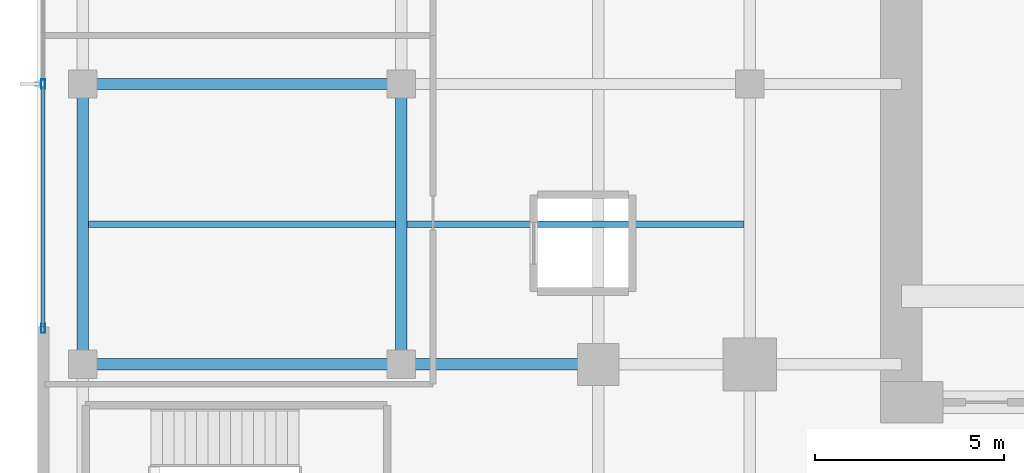
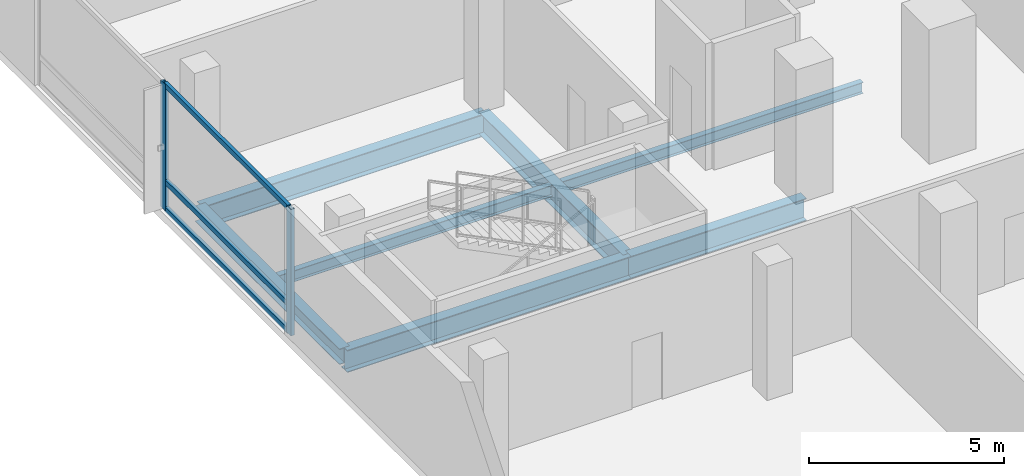
# One storey, part 2 of 19: 7 beams, 5 members, 1 element without a shape of its own.
"""IFC4 building model written with IfcOpenShell, lengths in metres."""

from ifc_helpers import new_model, si_unit, direction, frame, origin, origin_2d, place, context, subcontext, project, spatial, hollow_rectangle, i_section, extrude, material, layer, layer_set, material_profile, profile_set, type_object, element, aggregate, save


model = new_model("IFC4")

# Units and contexts
model_context = context("Model", 3, precision=1e-05, world=origin(), true_north=direction((0.0, 1.0)))
body_context = subcontext(model_context, "Body", "Model", "MODEL_VIEW")
ifc_project = project(units=[si_unit("LENGTHUNIT", "METRE"), si_unit("AREAUNIT", "SQUARE_METRE"), si_unit("VOLUMEUNIT", "CUBIC_METRE"), si_unit("PLANEANGLEUNIT", "RADIAN"), si_unit("MASSUNIT", "GRAM", prefix="KILO")], contexts=[model_context])

# Site, building, storey
site_placement = place(None, origin())
site = spatial("IfcSite", under=ifc_project, at=site_placement, CompositionType="ELEMENT")
building_placement = place(site_placement, origin())
building = spatial("IfcBuilding", under=site, at=building_placement, Name="Khorvyn Point Tower", CompositionType="ELEMENT")
storey_placement = place(building_placement, frame((0.0, 0.0, 17.39990234375)))
storey = spatial("IfcBuildingStorey", under=building, at=storey_placement, Name="L05", CompositionType="ELEMENT", Elevation=17.39990234375)

# Curtain wall, members
ifc_material_1 = material(Name="Anodised aluminium 6063-T6 and laminated Low-E glass", Category="aluminium")
ifc_layer = layer(ifc_material_1, 0.18994140625)
ifc_layer_set = layer_set([ifc_layer], Name="Stick-Built Low-E Podium Curtain Wall CW-SYS-01")
curtain_wall_type = type_object("IfcCurtainWallType", Name="Stick-Built Low-E Podium Curtain Wall CW-SYS-01", PredefinedType="NOTDEFINED", material=ifc_layer_set)
curtain_wall_placement = place(storey_placement, origin())
curtain_wall = element("IfcCurtainWall", 1, at=curtain_wall_placement, inside=storey, type_object=curtain_wall_type, Name="Curtain Wall", PredefinedType="NOTDEFINED")
ifc_material_2 = material(Name="Anodised aluminium 6063-T6", Category="aluminium")
ifc_material_profile_1 = material_profile(ifc_material_2, hollow_rectangle(XDim=0.10009765625, YDim=0.239990234375, WallThickness=0.0048828125, at=origin_2d()))
ifc_profile_set_1 = profile_set([ifc_material_profile_1], Name="Anodised aluminium 6063-T6 ALU-MUL-100x240")
member_type_1 = type_object("IfcMemberType", Name="Anodised Aluminium 6063-T6 Mullion ALU-MUL-100x240", PredefinedType="MULLION", material=ifc_profile_set_1)
member_1_placement = place(storey_placement, frame((-33.449951171875, -6.449951171875, 0.0), z_axis=(0.0, 0.0, 1.0), x_axis=(-1.0, 0.0, 0.0)))
member_1 = element("IfcMember", 2, at=member_1_placement, type_object=member_type_1, Name="Transom", PredefinedType="MULLION", context=body_context, shape_type="SweptSolid", body=[
    extrude(hollow_rectangle(XDim=0.10009765625, YDim=0.239990234375, WallThickness=0.0048828125, at=origin_2d()), origin(), (0.0, 0.0, 1.0), 3.960205078125),
])
member_2_placement = place(storey_placement, frame((-33.449951171875, 0.0, 0.0), z_axis=(0.0, 0.0, 1.0), x_axis=(-1.0, 0.0, 0.0)))
member_2 = element("IfcMember", 3, at=member_2_placement, type_object=member_type_1, Name="Transom", PredefinedType="MULLION", context=body_context, shape_type="SweptSolid", body=[
    extrude(hollow_rectangle(XDim=0.10009765625, YDim=0.239990234375, WallThickness=0.0048828125, at=origin_2d()), origin(), (0.0, 0.0, 1.0), 3.960205078125),
])
ifc_material_profile_2 = material_profile(ifc_material_2, hollow_rectangle(XDim=0.10009765625, YDim=0.159912109375, WallThickness=0.00439453125, at=origin_2d()))
ifc_profile_set_2 = profile_set([ifc_material_profile_2], Name="Anodised aluminium 6063-T6 ALU-TRN-100x160")
member_type_2 = type_object("IfcMemberType", Name="Anodised Aluminium 6063-T6 Transom ALU-TRN-100x160", PredefinedType="USERDEFINED", material=ifc_profile_set_2)
member_3_placement = place(storey_placement, frame((-33.449951171875, -6.39990234375, 0.050048828125), z_axis=(0.0, 1.0, 0.0), x_axis=(-1.0, 0.0, 0.0)))
member_3 = element("IfcMember", 4, at=member_3_placement, type_object=member_type_2, Name="Transom", ObjectType="TRANSOM", PredefinedType="USERDEFINED", context=body_context, shape_type="SweptSolid", body=[
    extrude(hollow_rectangle(XDim=0.10009765625, YDim=0.159912109375, WallThickness=0.00439453125, at=origin_2d()), origin(), (0.0, 0.0, 1.0), 6.349853515625),
])
member_4_placement = place(storey_placement, frame((-33.449951171875, -6.39990234375, 0.900146484375), z_axis=(0.0, 1.0, 0.0), x_axis=(-1.0, 0.0, 0.0)))
member_4 = element("IfcMember", 5, at=member_4_placement, type_object=member_type_2, Name="Transom", ObjectType="TRANSOM", PredefinedType="USERDEFINED", context=body_context, shape_type="SweptSolid", body=[
    extrude(hollow_rectangle(XDim=0.10009765625, YDim=0.159912109375, WallThickness=0.00439453125, at=origin_2d()), origin(), (0.0, 0.0, 1.0), 6.349853515625),
])
member_5_placement = place(storey_placement, frame((-33.449951171875, -6.39990234375, 3.91015625), z_axis=(0.0, 1.0, 0.0), x_axis=(-1.0, 0.0, 0.0)))
member_5 = element("IfcMember", 6, at=member_5_placement, type_object=member_type_2, Name="Transom", ObjectType="TRANSOM", PredefinedType="USERDEFINED", context=body_context, shape_type="SweptSolid", body=[
    extrude(hollow_rectangle(XDim=0.10009765625, YDim=0.159912109375, WallThickness=0.00439453125, at=origin_2d()), origin(), (0.0, 0.0, 1.0), 6.349853515625),
])
aggregate(curtain_wall, [member_1, member_2, member_3, member_4, member_5])

# Beams
ifc_material_3 = material(Name="Steel S355", Category="steel")
ifc_material_profile_3 = material_profile(ifc_material_3, i_section(OverallWidth=0.300048828125, OverallDepth=0.699951171875, WebThickness=0.012939453125, FlangeThickness=0.02392578125, at=origin_2d()))
ifc_profile_set_3 = profile_set([ifc_material_profile_3], Name="Steel S355 H700x300x13x24")
beam_type_1 = type_object("IfcBeamType", Name="Steel S355 Beam H700x300x13x24", PredefinedType="BEAM", material=ifc_profile_set_3)
beam_1_placement = place(storey_placement, frame((-32.39990234375, -7.39990234375, -0.58984375), z_axis=(1.0, 0.0, 0.0), x_axis=(0.0, 1.0, 0.0)))
element("IfcBeam", 7, at=beam_1_placement, inside=storey, type_object=beam_type_1, Name="Beam", PredefinedType="BEAM", context=body_context, shape_type="SweptSolid", body=[
    extrude(i_section(OverallWidth=0.300048828125, OverallDepth=0.699951171875, WebThickness=0.012939453125, FlangeThickness=0.02392578125, at=origin_2d()), origin(), (0.0, 0.0, 1.0), 8.39990234375),
])
beam_2_placement = place(storey_placement, frame((-24.0, -7.39990234375, -0.58984375), z_axis=(1.0, 0.0, 0.0), x_axis=(0.0, 1.0, 0.0)))
element("IfcBeam", 8, at=beam_2_placement, inside=storey, type_object=beam_type_1, Name="Beam", PredefinedType="BEAM", context=body_context, shape_type="SweptSolid", body=[
    extrude(i_section(OverallWidth=0.300048828125, OverallDepth=0.699951171875, WebThickness=0.012939453125, FlangeThickness=0.02392578125, at=origin_2d()), origin(), (0.0, 0.0, 1.0), 5.199951171875),
])
beam_3_placement = place(storey_placement, frame((-32.39990234375, 0.0, -0.58984375), z_axis=(1.0, 0.0, 0.0), x_axis=(0.0, 1.0, 0.0)))
element("IfcBeam", 9, at=beam_3_placement, inside=storey, type_object=beam_type_1, Name="Beam", PredefinedType="BEAM", context=body_context, shape_type="SweptSolid", body=[
    extrude(i_section(OverallWidth=0.300048828125, OverallDepth=0.699951171875, WebThickness=0.012939453125, FlangeThickness=0.02392578125, at=origin_2d()), origin(), (0.0, 0.0, 1.0), 8.39990234375),
])
beam_4_placement = place(storey_placement, frame((-24.0, -7.39990234375, -0.58984375), z_axis=(0.0, 1.0, 0.0), x_axis=(-1.0, 0.0, 0.0)))
element("IfcBeam", 10, at=beam_4_placement, inside=storey, type_object=beam_type_1, Name="Beam", PredefinedType="BEAM", context=body_context, shape_type="SweptSolid", body=[
    extrude(i_section(OverallWidth=0.300048828125, OverallDepth=0.699951171875, WebThickness=0.012939453125, FlangeThickness=0.02392578125, at=origin_2d()), origin(), (0.0, 0.0, 1.0), 7.39990234375),
])
ifc_material_profile_4 = material_profile(ifc_material_3, i_section(OverallWidth=0.175048828125, OverallDepth=0.35009765625, WebThickness=0.007080078125, FlangeThickness=0.010986328125, at=origin_2d()))
ifc_profile_set_4 = profile_set([ifc_material_profile_4], Name="Steel S355 H350x175x7x11")
beam_type_2 = type_object("IfcBeamType", Name="Steel S355 Joist H350x175x7x11", PredefinedType="JOIST", material=ifc_profile_set_4)
beam_5_placement = place(storey_placement, frame((-32.25, -3.699951171875, -0.414794921875), z_axis=(1.0, 0.0, 0.0), x_axis=(0.0, 1.0, 0.0)))
element("IfcBeam", 11, at=beam_5_placement, inside=storey, type_object=beam_type_2, Name="Beam", PredefinedType="JOIST", context=body_context, shape_type="SweptSolid", body=[
    extrude(i_section(OverallWidth=0.175048828125, OverallDepth=0.35009765625, WebThickness=0.007080078125, FlangeThickness=0.010986328125, at=origin_2d()), origin(), (0.0, 0.0, 1.0), 8.10009765625),
])
beam_6_placement = place(storey_placement, frame((-23.85009765625, -3.699951171875, -0.414794921875), z_axis=(1.0, 0.0, 0.0), x_axis=(0.0, 1.0, 0.0)))
element("IfcBeam", 12, at=beam_6_placement, inside=storey, type_object=beam_type_2, Name="Beam", PredefinedType="JOIST", context=body_context, shape_type="SweptSolid", body=[
    extrude(i_section(OverallWidth=0.175048828125, OverallDepth=0.35009765625, WebThickness=0.007080078125, FlangeThickness=0.010986328125, at=origin_2d()), origin(), (0.0, 0.0, 1.0), 8.900146484375),
])
ifc_material_profile_5 = material_profile(ifc_material_3, i_section(OverallWidth=0.300048828125, OverallDepth=0.488037109375, WebThickness=0.010986328125, FlangeThickness=0.01806640625, at=origin_2d()))
ifc_profile_set_5 = profile_set([ifc_material_profile_5], Name="Steel S355 H488x300x11x18")
beam_type_3 = type_object("IfcBeamType", Name="Steel S355 Spandrel H488x300x11x18", PredefinedType="SPANDREL", material=ifc_profile_set_5)
beam_7_placement = place(storey_placement, frame((-32.39990234375, -7.39990234375, -0.48388671875), z_axis=(0.0, 1.0, 0.0), x_axis=(-1.0, 0.0, 0.0)))
element("IfcBeam", 13, at=beam_7_placement, inside=storey, type_object=beam_type_3, Name="Beam", PredefinedType="SPANDREL", context=body_context, shape_type="SweptSolid", body=[
    extrude(i_section(OverallWidth=0.300048828125, OverallDepth=0.488037109375, WebThickness=0.010986328125, FlangeThickness=0.01806640625, at=origin_2d()), origin(), (0.0, 0.0, 1.0), 7.39990234375),
])

save(model, "model.ifc")
